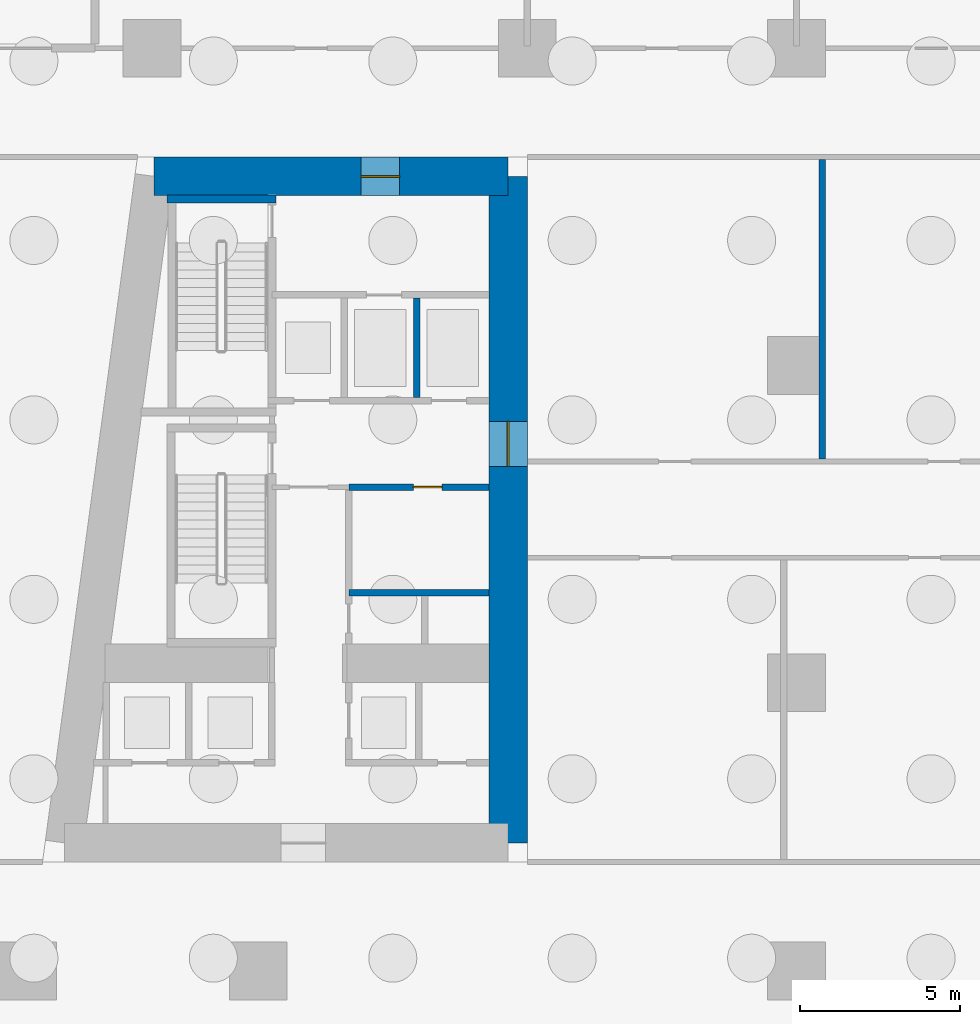
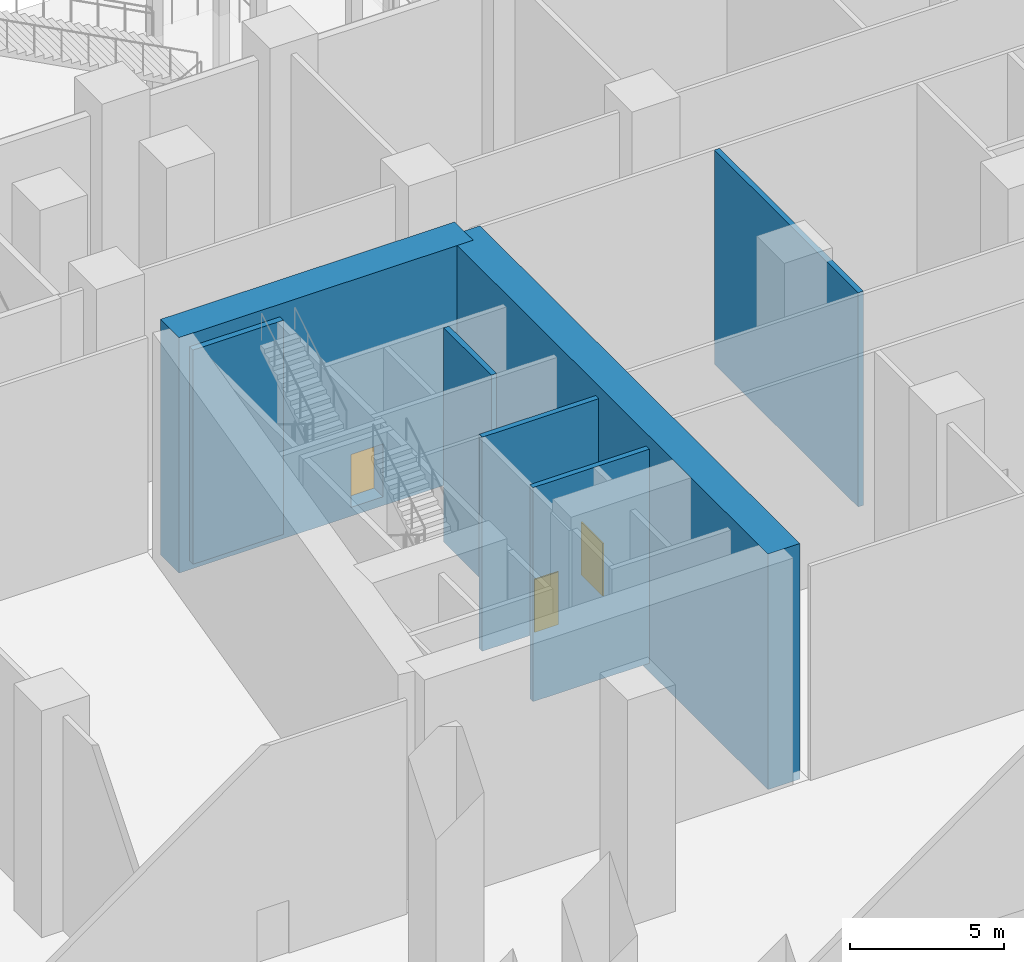
# One storey, part 42 of 72: 7 walls, 3 doors, 3 openings.
"""IFC4 building model written with IfcOpenShell, lengths in metres."""

from ifc_helpers import new_model, si_unit, direction, frame, frame_2d, origin, place, context, subcontext, project, spatial, rectangle, extrude, material, layer, layer_set, type_object, element, fill, save


model = new_model("IFC4")

# Units and contexts
model_context = context("Model", 3, precision=1e-05, world=origin(), true_north=direction((0.0, 1.0)))
body_context = subcontext(model_context, "Body", "Model", "MODEL_VIEW")
ifc_project = project(units=[si_unit("LENGTHUNIT", "METRE"), si_unit("AREAUNIT", "SQUARE_METRE"), si_unit("VOLUMEUNIT", "CUBIC_METRE"), si_unit("PLANEANGLEUNIT", "RADIAN"), si_unit("MASSUNIT", "GRAM", prefix="KILO")], contexts=[model_context])

# Site, building, storey
site_placement = place(None, origin())
site = spatial("IfcSite", under=ifc_project, at=site_placement, CompositionType="ELEMENT")
building_placement = place(site_placement, origin())
building = spatial("IfcBuilding", under=site, at=building_placement, Name="Candeia Pilgrim Tower and Theatre", CompositionType="ELEMENT")
storey_placement = place(building_placement, origin())
storey = spatial("IfcBuildingStorey", under=building, at=storey_placement, Name="L00", CompositionType="ELEMENT", Elevation=0.0)

# Wall, opening, door
ifc_material_1 = material(Name="Concrete C80/95", Category="concrete")
ifc_layer_1 = layer(ifc_material_1, 1.199951171875)
ifc_layer_set_1 = layer_set([ifc_layer_1], Name="Core wall 1200 C80/95")
wall_type_1 = type_object("IfcWallType", Name="Core wall 1200 C80/95", PredefinedType="SHEAR", material=ifc_layer_set_1)
wall_1_placement = place(storey_placement, frame((89.155517578125, 131.800048828125, -0.35009765625), z_axis=(0.0, 0.0, 1.0), x_axis=(1.0, 0.0, 0.0)))
wall_1 = element("IfcWall", 1, at=wall_1_placement, inside=storey, type_object=wall_type_1, Name="Core wall W1", PredefinedType="SHEAR", context=body_context, shape_type="SweptSolid", body=[
    extrude(rectangle(XDim=11.04443359375, YDim=1.199951171875, at=frame_2d((5.522216796875, 0.0))), origin(), (0.0, 0.0, 1.0), 9.35009765625),
])
opening_1_placement = place(wall_1_placement, frame((6.4580078125, 0.0, 0.35009765625)))
opening_1 = element("IfcOpeningElement", 2, at=opening_1_placement, cuts=wall_1, Name="Opening L00-D046", PredefinedType="OPENING", context=body_context, shape_type="SweptSolid", body=[
    extrude(rectangle(XDim=1.199951171875, YDim=2.10009765625, at=frame_2d((0.60009765625, 1.050048828125))), frame((0.0, 0.60986328125, 0.0), z_axis=(0.0, -1.0, 0.0), x_axis=(1.0, 0.0, 0.0)), (0.0, 0.0, 1.0), 1.219970703125),
])
ifc_material_2 = material(Name="Steel fire door set", Category="steel")
door_type_1 = type_object("IfcDoorType", Name="D-1200-FD60", OperationType="NOTDEFINED", PredefinedType="DOOR", material=ifc_material_2)
door_1_placement = place(opening_1_placement, origin())
door_1 = element("IfcDoor", 3, at=door_1_placement, inside=storey, type_object=door_type_1, Name="Door L00-D046", OperationType="SINGLE_SWING_LEFT", OverallHeight=2.10009765625, OverallWidth=1.199951171875, PredefinedType="DOOR", context=body_context, shape_type="SweptSolid", body=[
    extrude(rectangle(XDim=1.199951171875, YDim=2.10009765625, at=frame_2d((0.60009765625, 1.050048828125))), frame((0.0, 0.02490234375, 0.0), z_axis=(0.0, -1.0, 0.0), x_axis=(1.0, 0.0, 0.0)), (0.0, 0.0, 1.0), 0.050048828125),
])
fill(opening_1, door_1)

wall_2_placement = place(storey_placement, frame((100.199951171875, 131.800048828125, -0.35009765625), z_axis=(0.0, 0.0, 1.0), x_axis=(0.0, -1.0, 0.0)))
wall_2 = element("IfcWall", 4, at=wall_2_placement, inside=storey, type_object=wall_type_1, Name="Core wall W2", PredefinedType="SHEAR", context=body_context, shape_type="SweptSolid", body=[
    extrude(rectangle(XDim=20.800048828125, YDim=1.199951171875, at=frame_2d((10.39990234375, 0.0))), origin(), (0.0, 0.0, 1.0), 9.35009765625),
])
opening_2_placement = place(wall_2_placement, frame((7.64990234375, 0.0, 0.35009765625)))
opening_2 = element("IfcOpeningElement", 5, at=opening_2_placement, cuts=wall_2, Name="Opening L00-D047", PredefinedType="OPENING", context=body_context, shape_type="SweptSolid", body=[
    extrude(rectangle(XDim=1.39990234375, YDim=2.10009765625, at=frame_2d((0.699951171875, 1.050048828125))), frame((0.0, 0.60986328125, 0.0), z_axis=(0.0, -1.0, 0.0), x_axis=(1.0, 0.0, 0.0)), (0.0, 0.0, 1.0), 1.219970703125),
])
door_type_2 = type_object("IfcDoorType", Name="D-1400-FD60", OperationType="NOTDEFINED", PredefinedType="DOOR", material=ifc_material_2)
door_2_placement = place(opening_2_placement, origin())
door_2 = element("IfcDoor", 6, at=door_2_placement, inside=storey, type_object=door_type_2, Name="Door L00-D047", OperationType="SINGLE_SWING_RIGHT", OverallHeight=2.10009765625, OverallWidth=1.39990234375, PredefinedType="DOOR", context=body_context, shape_type="SweptSolid", body=[
    extrude(rectangle(XDim=1.39990234375, YDim=2.10009765625, at=frame_2d((0.699951171875, 1.050048828125))), frame((0.0, 0.02490234375, 0.0), z_axis=(0.0, -1.0, 0.0), x_axis=(1.0, 0.0, 0.0)), (0.0, 0.0, 1.0), 0.050048828125),
])
fill(opening_2, door_2)

# Walls
ifc_material_3 = material(Name="Gypsum board partition on steel studs", Category="steel")
ifc_layer_2 = layer(ifc_material_3, 0.199951171875)
ifc_layer_set_2 = layer_set([ifc_layer_2], Name="PW-200 party wall")
wall_type_2 = type_object("IfcWallType", Name="PW-200 party wall", PredefinedType="PARTITIONING", material=ifc_layer_set_2)
wall_3_placement = place(storey_placement, frame((110.0, 122.97509765625, 0.0), z_axis=(0.0, 0.0, 1.0), x_axis=(0.0, 1.0, 0.0)))
element("IfcWall", 7, at=wall_3_placement, inside=storey, type_object=wall_type_2, Name="Party wall L00-071", PredefinedType="PARTITIONING", context=body_context, shape_type="SweptSolid", body=[
    extrude(rectangle(XDim=9.349853515625, YDim=0.199951171875, at=frame_2d((4.6748046875, 0.0))), origin(), (0.0, 0.0, 1.0), 8.5),
])
ifc_material_4 = material(Name="Concrete C40/50", Category="concrete")
ifc_layer_3 = layer(ifc_material_4, 0.199951171875)
ifc_layer_set_3 = layer_set([ifc_layer_3], Name="SW-200 shaft wall")
wall_type_3 = type_object("IfcWallType", Name="SW-200 shaft wall", PredefinedType="PARTITIONING", material=ifc_layer_set_3)
wall_4_placement = place(storey_placement, frame((95.22705078125, 118.800048828125, 0.0), z_axis=(0.0, 0.0, 1.0), x_axis=(1.0, 0.0, 0.0)))
element("IfcWall", 8, at=wall_4_placement, inside=storey, type_object=wall_type_3, Name="Shaft wall L00-011", PredefinedType="PARTITIONING", context=body_context, shape_type="SweptSolid", body=[
    extrude(rectangle(XDim=4.373046875, YDim=0.199951171875, at=frame_2d((2.1865234375, 0.0))), origin(), (0.0, 0.0, 1.0), 8.5),
])

# Wall, opening, door
wall_5_placement = place(storey_placement, frame((95.22705078125, 122.10009765625, 0.0), z_axis=(0.0, 0.0, 1.0), x_axis=(1.0, 0.0, 0.0)))
wall_5 = element("IfcWall", 9, at=wall_5_placement, inside=storey, type_object=wall_type_3, Name="Shaft wall L00-014", PredefinedType="PARTITIONING", context=body_context, shape_type="SweptSolid", body=[
    extrude(rectangle(XDim=4.373046875, YDim=0.199951171875, at=frame_2d((2.1865234375, 0.0))), origin(), (0.0, 0.0, 1.0), 8.5),
])
opening_3_placement = place(wall_5_placement, frame((2.013916015625, 0.0, 0.0)))
opening_3 = element("IfcOpeningElement", 10, at=opening_3_placement, cuts=wall_5, Name="Opening L00-D033", PredefinedType="OPENING", context=body_context, shape_type="SweptSolid", body=[
    extrude(rectangle(XDim=0.89990234375, YDim=2.10009765625, at=frame_2d((0.449951171875, 1.050048828125))), frame((0.0, 0.10986328125, 0.0), z_axis=(0.0, -1.0, 0.0), x_axis=(1.0, 0.0, 0.0)), (0.0, 0.0, 1.0), 0.219970703125),
])
door_type_3 = type_object("IfcDoorType", Name="D-900-FD60", OperationType="NOTDEFINED", PredefinedType="DOOR", material=ifc_material_2)
door_3_placement = place(opening_3_placement, origin())
door_3 = element("IfcDoor", 11, at=door_3_placement, inside=storey, type_object=door_type_3, Name="Door L00-D033", OperationType="SINGLE_SWING_RIGHT", OverallHeight=2.10009765625, OverallWidth=0.89990234375, PredefinedType="DOOR", context=body_context, shape_type="SweptSolid", body=[
    extrude(rectangle(XDim=0.89990234375, YDim=2.10009765625, at=frame_2d((0.449951171875, 1.050048828125))), frame((0.0, 0.02490234375, 0.0), z_axis=(0.0, -1.0, 0.0), x_axis=(1.0, 0.0, 0.0)), (0.0, 0.0, 1.0), 0.050048828125),
])
fill(opening_3, door_3)

# Walls
wall_6_placement = place(storey_placement, frame((97.34228515625, 124.89990234375, 0.0), z_axis=(0.0, 0.0, 1.0), x_axis=(0.0, 1.0, 0.0)))
element("IfcWall", 12, at=wall_6_placement, inside=storey, type_object=wall_type_3, Name="Shaft wall L00-065", PredefinedType="PARTITIONING", context=body_context, shape_type="SweptSolid", body=[
    extrude(rectangle(XDim=3.10009765625, YDim=0.199951171875, at=frame_2d((1.550048828125, 0.0))), origin(), (0.0, 0.0, 1.0), 8.5),
])
ifc_layer_4 = layer(ifc_material_4, 0.25)
ifc_layer_set_4 = layer_set([ifc_layer_4], Name="SW-250 stair wall")
wall_type_4 = type_object("IfcWallType", Name="SW-250 stair wall", PredefinedType="PARTITIONING", material=ifc_layer_set_4)
wall_7_placement = place(storey_placement, frame((89.552001953125, 131.10107421875, 0.0), z_axis=(0.0, 0.0, 1.0), x_axis=(1.0, 0.0, 0.0)))
element("IfcWall", 13, at=wall_7_placement, inside=storey, type_object=wall_type_4, Name="Stair wall L00-030", PredefinedType="PARTITIONING", context=body_context, shape_type="SweptSolid", body=[
    extrude(rectangle(XDim=3.39990234375, YDim=0.25, at=frame_2d((1.699951171875, 0.0))), origin(), (0.0, 0.0, 1.0), 8.5),
])

save(model, "model.ifc")
